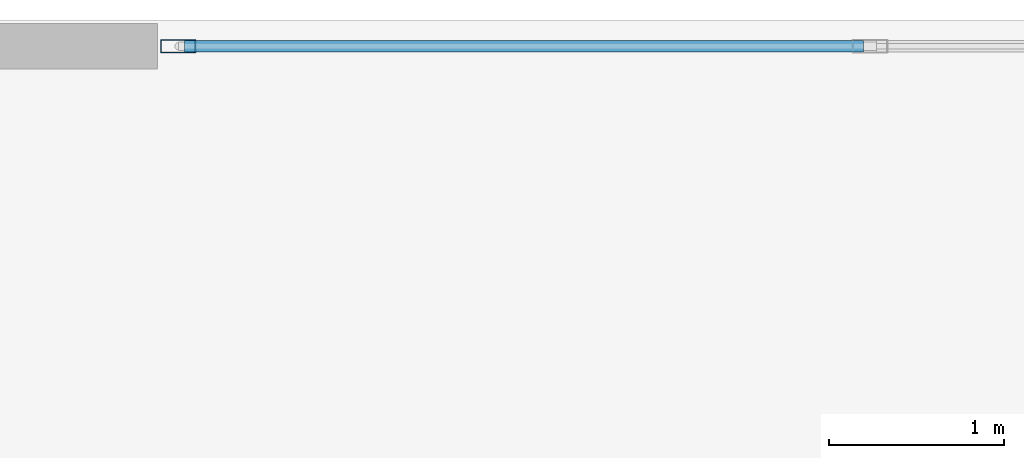
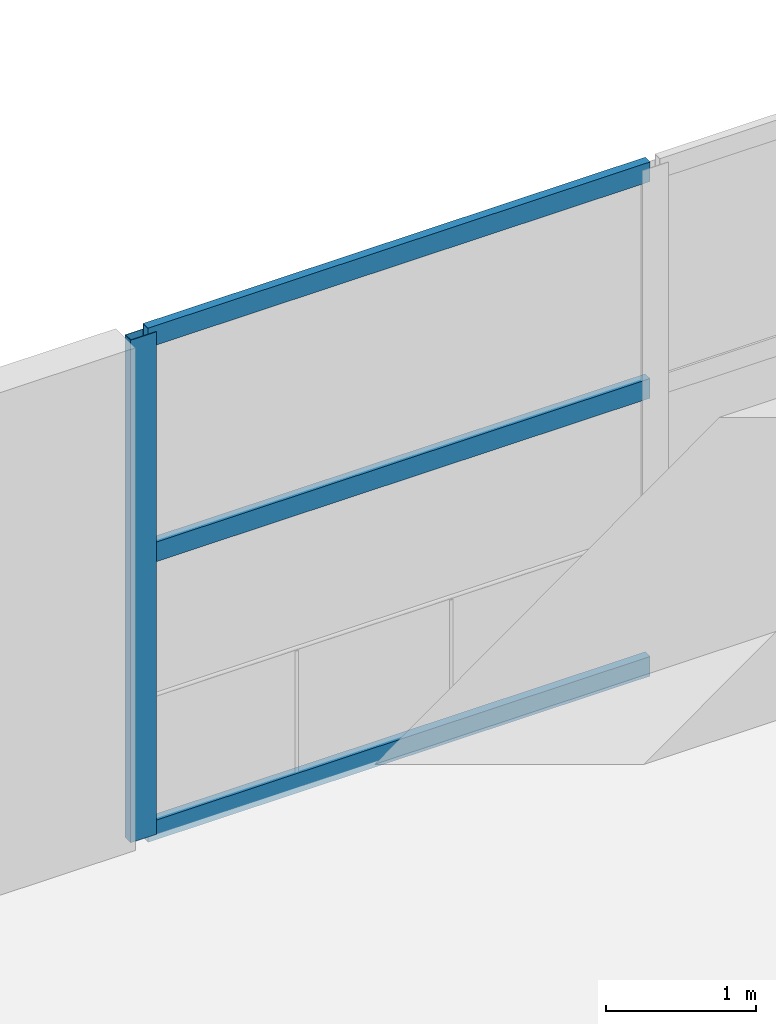
# One storey, part 13 of 27: 4 members, 1 element without a shape of its own.
"""IFC4 building model written with IfcOpenShell, lengths in metres."""

from ifc_helpers import new_model, si_unit, direction, frame, origin, origin_2d, place, context, subcontext, project, spatial, hollow_rectangle, extrude, material, layer, layer_set, material_profile, profile_set, type_object, element, aggregate, save


model = new_model("IFC4")

# Units and contexts
model_context = context("Model", 3, precision=1e-05, world=origin(), true_north=direction((0.0, 1.0)))
body_context = subcontext(model_context, "Body", "Model", "MODEL_VIEW")
ifc_project = project(units=[si_unit("LENGTHUNIT", "METRE"), si_unit("AREAUNIT", "SQUARE_METRE"), si_unit("VOLUMEUNIT", "CUBIC_METRE"), si_unit("PLANEANGLEUNIT", "RADIAN"), si_unit("MASSUNIT", "GRAM", prefix="KILO")], contexts=[model_context])

# Site, building, storey
site_placement = place(None, origin())
site = spatial("IfcSite", under=ifc_project, at=site_placement, CompositionType="ELEMENT")
building_placement = place(site_placement, origin())
building = spatial("IfcBuilding", under=site, at=building_placement, Name="Solvane Sanctuary Tower", CompositionType="ELEMENT")
storey_placement = place(building_placement, frame((0.0, 0.0, 23.0)))
storey = spatial("IfcBuildingStorey", under=building, at=storey_placement, Name="L06", CompositionType="ELEMENT", Elevation=23.0)

# Curtain wall, members
ifc_material = material(Name="Anodised Aluminium 6063-T6", Category="aluminium")
ifc_layer = layer(ifc_material, 0.159912109375, Name="Anodised Aluminium 6063-T6")
ifc_layer_set = layer_set([ifc_layer], Name="Anodised Aluminium 6063-T6")
curtain_wall_type = type_object("IfcCurtainWallType", Name="Curtain Wall CW-POD", PredefinedType="NOTDEFINED", material=ifc_layer_set)
curtain_wall_placement = place(storey_placement, origin())
curtain_wall = element("IfcCurtainWall", 1, at=curtain_wall_placement, inside=storey, type_object=curtain_wall_type, Name="L06 Sanctuary Curtain Wall N2", PredefinedType="NOTDEFINED")
ifc_material_profile_1 = material_profile(ifc_material, hollow_rectangle(XDim=0.074951171875, YDim=0.199951171875, WallThickness=0.00390625, at=origin_2d()), Name="ALU200X75X4")
ifc_profile_set_1 = profile_set([ifc_material_profile_1], Name="Anodised Aluminium 6063-T6")
member_type_1 = type_object("IfcMemberType", Name="Member M-CW-MUL-1 ALU200X75X4", PredefinedType="MULLION", material=ifc_profile_set_1)
member_1_placement = place(storey_placement, frame((20.117431640625, 45.85009765625, 0.0), z_axis=(0.0, 0.0, 1.0), x_axis=(0.0, -1.0, 0.0)))
member_1 = element("IfcMember", 2, at=member_1_placement, type_object=member_type_1, Name="CW-POD mullion 7", PredefinedType="MULLION", context=body_context, shape_type="SweptSolid", body=[
    extrude(hollow_rectangle(XDim=0.074951171875, YDim=0.199951171875, WallThickness=0.00390625, at=origin_2d()), origin(), (0.0, 0.0, 1.0), 4.10009765625),
])
ifc_material_profile_2 = material_profile(ifc_material, hollow_rectangle(XDim=0.06494140625, YDim=0.159912109375, WallThickness=0.00341796875, at=origin_2d()), Name="ALU160X65X3.5")
ifc_profile_set_2 = profile_set([ifc_material_profile_2], Name="Anodised Aluminium 6063-T6")
member_type_2 = type_object("IfcMemberType", Name="Member M-CW-TRN-1 ALU160X65X3.5", PredefinedType="USERDEFINED", material=ifc_profile_set_2)
member_2_placement = place(storey_placement, frame((24.029052734375, 45.85009765625, 0.032470703125), z_axis=(-1.0, 0.0, 0.0), x_axis=(0.0, -1.0, 0.0)))
member_2 = element("IfcMember", 3, at=member_2_placement, type_object=member_type_2, Name="CW-POD transom 6.1", ObjectType="TRANSOM", PredefinedType="USERDEFINED", context=body_context, shape_type="SweptSolid", body=[
    extrude(hollow_rectangle(XDim=0.06494140625, YDim=0.159912109375, WallThickness=0.00341796875, at=origin_2d()), origin(), (0.0, 0.0, 1.0), 3.8740234375),
])
member_3_placement = place(storey_placement, frame((24.029052734375, 45.85009765625, 2.300048828125), z_axis=(-1.0, 0.0, 0.0), x_axis=(0.0, -1.0, 0.0)))
member_3 = element("IfcMember", 4, at=member_3_placement, type_object=member_type_2, Name="CW-POD transom 6.2", ObjectType="TRANSOM", PredefinedType="USERDEFINED", context=body_context, shape_type="SweptSolid", body=[
    extrude(hollow_rectangle(XDim=0.06494140625, YDim=0.159912109375, WallThickness=0.00341796875, at=origin_2d()), origin(), (0.0, 0.0, 1.0), 3.8740234375),
])
member_4_placement = place(storey_placement, frame((24.029052734375, 45.85009765625, 4.0673828125), z_axis=(-1.0, 0.0, 0.0), x_axis=(0.0, -1.0, 0.0)))
member_4 = element("IfcMember", 5, at=member_4_placement, type_object=member_type_2, Name="CW-POD transom 6.3", ObjectType="TRANSOM", PredefinedType="USERDEFINED", context=body_context, shape_type="SweptSolid", body=[
    extrude(hollow_rectangle(XDim=0.06494140625, YDim=0.159912109375, WallThickness=0.00341796875, at=origin_2d()), origin(), (0.0, 0.0, 1.0), 3.8740234375),
])
aggregate(curtain_wall, [member_1, member_2, member_3, member_4])

save(model, "model.ifc")
